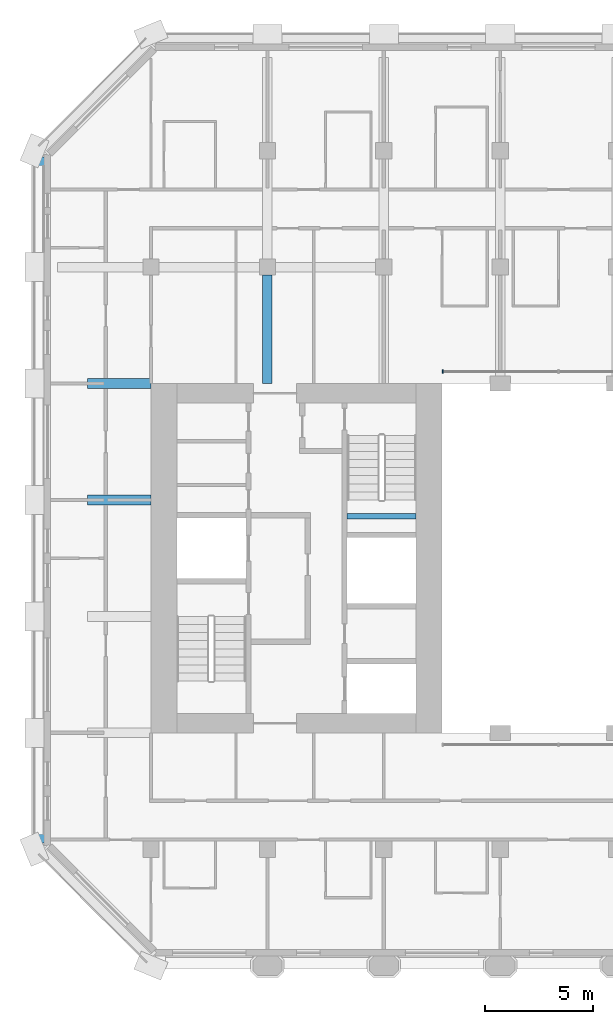
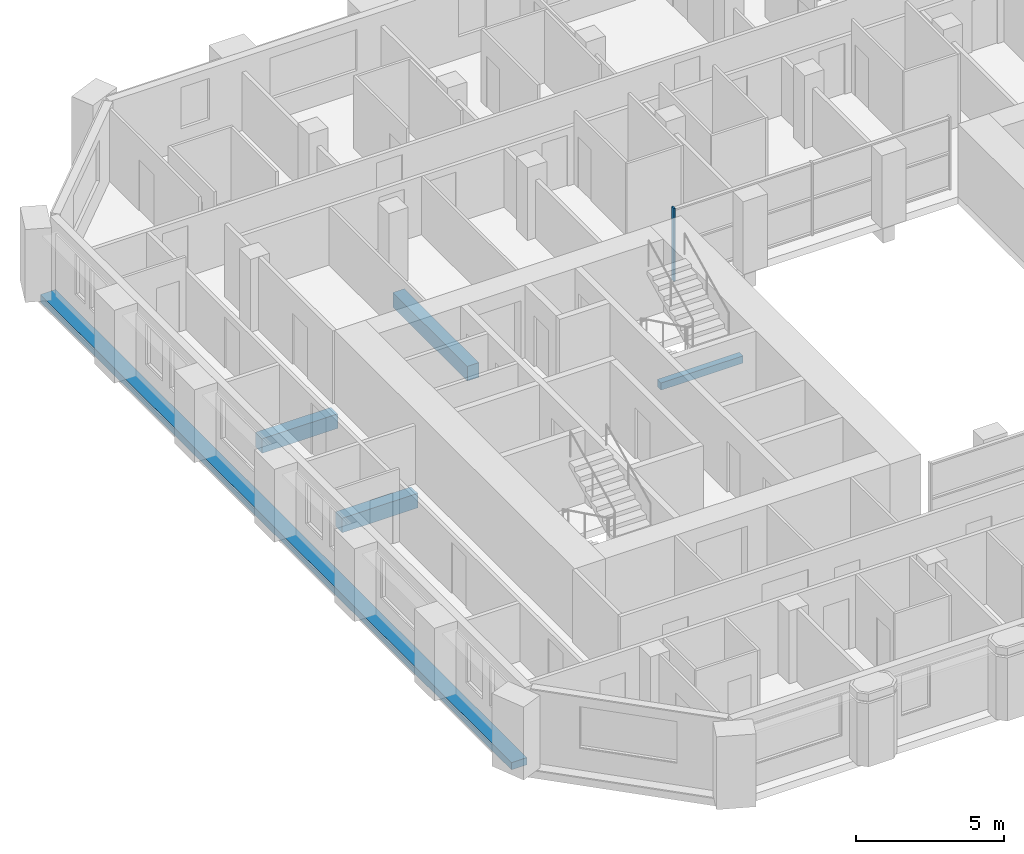
# One storey, part 3 of 13: 5 beams, 1 member, 1 element without a shape of its own.
"""IFC4 building model written with IfcOpenShell, lengths in metres."""

from ifc_helpers import new_model, si_unit, direction, frame, origin, origin_2d, place, context, subcontext, project, spatial, rectangle, extrude, material, material_profile, profile_set, type_object, element, aggregate, save


model = new_model("IFC4")

# Units and contexts
model_context = context("Model", 3, precision=1e-05, world=origin(), true_north=direction((0.0, 1.0)))
body_context = subcontext(model_context, "Body", "Model", "MODEL_VIEW")
ifc_project = project(units=[si_unit("LENGTHUNIT", "METRE"), si_unit("AREAUNIT", "SQUARE_METRE"), si_unit("VOLUMEUNIT", "CUBIC_METRE"), si_unit("PLANEANGLEUNIT", "RADIAN"), si_unit("MASSUNIT", "GRAM", prefix="KILO")], contexts=[model_context])

# Site, building, storey
site_placement = place(None, origin())
site = spatial("IfcSite", under=ifc_project, at=site_placement, CompositionType="ELEMENT")
building_placement = place(site_placement, origin())
building = spatial("IfcBuilding", under=site, at=building_placement, Name="Tabaq Tower and Sports Hall", CompositionType="ELEMENT")
storey_placement = place(building_placement, frame((0.0, 0.0, 220.300048828125)))
storey = spatial("IfcBuildingStorey", under=building, at=storey_placement, Name="L55", CompositionType="ELEMENT", Elevation=220.300048828125)

# Curtain wall, member
ifc_material_1 = material(Name="Aluminium alloy 6063-T6 framed glazing", Category="aluminium")
curtain_wall_type = type_object("IfcCurtainWallType", Name="CW1 curtain wall", PredefinedType="USERDEFINED", material=ifc_material_1)
curtain_wall_placement = place(storey_placement, origin())
curtain_wall = element("IfcCurtainWall", 1, at=curtain_wall_placement, inside=storey, type_object=curtain_wall_type, Name="Atrium glazing L55 N", ObjectType="ATRIUM ENCLOSURE", PredefinedType="USERDEFINED")
ifc_material_2 = material(Name="Aluminium alloy 6063-T6", Category="aluminium")
ifc_material_profile_1 = material_profile(ifc_material_2, rectangle(XDim=0.159912109375, YDim=0.06005859375, at=origin_2d()), Name="MULLION 160x60")
ifc_profile_set_1 = profile_set([ifc_material_profile_1], Name="Aluminium alloy 6063-T6")
member_type = type_object("IfcMemberType", Name="CW1 mullion 160x60", PredefinedType="MULLION", material=ifc_profile_set_1)
member_placement = place(storey_placement, frame((18.929931640625, 32.949951171875, 0.0), z_axis=(0.0, 0.0, 1.0), x_axis=(0.0, 1.0, 0.0)))
member = element("IfcMember", 2, at=member_placement, type_object=member_type, Name="CW1 mullion 1", PredefinedType="MULLION", context=body_context, shape_type="SweptSolid", body=[
    extrude(rectangle(XDim=0.159912109375, YDim=0.06005859375, at=origin_2d()), origin(), (0.0, 0.0, 1.0), 3.0),
])
aggregate(curtain_wall, [member])

# Beams
ifc_material_3 = material(Name="Concrete C40/50", Category="concrete")
ifc_material_profile_2 = material_profile(ifc_material_3, rectangle(XDim=0.449951171875, YDim=0.60009765625, at=origin_2d()), Name="CB 450x600")
ifc_profile_set_2 = profile_set([ifc_material_profile_2], Name="Concrete C40/50")
beam_type_1 = type_object("IfcBeamType", Name="PT CANTILEVER BEAM CB 450x600 C40/50", PredefinedType="BEAM", material=ifc_profile_set_2)
for number, where, z_axis, x_axis, name in (
    (3, (2.449951171875, 27.0, -0.60009765625), (1.0, 0.0, 0.0), (0.0, 1.0, 0.0), "Cantilever Beam L55 W5 span 1"),
    (4, (2.449951171875, 32.39990234375, -0.60009765625), (1.0, 0.0, 0.0), (0.0, 1.0, 0.0), "Cantilever Beam L55 W6 span 1"),
):
    element("IfcBeam", number, at=place(storey_placement, frame(where, z_axis=z_axis, x_axis=x_axis)), inside=storey, type_object=beam_type_1, Name=name, PredefinedType="BEAM", context=body_context, shape_type="SweptSolid", body=[
        extrude(rectangle(XDim=0.449951171875, YDim=0.60009765625, at=origin_2d()), origin(), (0.0, 0.0, 1.0), 2.949951171875),
    ])
beam_1_placement = place(storey_placement, frame((10.800048828125, 37.425048828125, -0.60009765625), z_axis=(0.0, -1.0, 0.0), x_axis=(1.0, 0.0, 0.0)))
element("IfcBeam", 5, at=beam_1_placement, inside=storey, type_object=beam_type_1, Name="Cantilever Beam L55 N2 span 3", PredefinedType="BEAM", context=body_context, shape_type="SweptSolid", body=[
    extrude(rectangle(XDim=0.449951171875, YDim=0.60009765625, at=origin_2d()), origin(), (0.0, 0.0, 1.0), 5.025146484375),
])
ifc_material_4 = material(Name="Concrete C40/50", Category="concrete")
ifc_material_profile_3 = material_profile(ifc_material_4, rectangle(XDim=0.60009765625, YDim=0.300048828125, at=origin_2d()), Name="EB 600x300")
ifc_profile_set_3 = profile_set([ifc_material_profile_3], Name="Concrete C40/50")
beam_type_2 = type_object("IfcBeamType", Name="PT EDGE BEAM EB 600x300 C40/50", PredefinedType="SPANDREL", material=ifc_profile_set_3)
beam_2_placement = place(storey_placement, frame((0.300048828125, 42.9013671875, -0.150146484375), z_axis=(0.0, -1.0, 0.0), x_axis=(1.0, 0.0, 0.0)))
element("IfcBeam", 6, at=beam_2_placement, inside=storey, type_object=beam_type_2, Name="Edge Beam L55 4", PredefinedType="SPANDREL", context=body_context, shape_type="SweptSolid", body=[
    extrude(rectangle(XDim=0.60009765625, YDim=0.300048828125, at=origin_2d()), origin(), (0.0, 0.0, 1.0), 31.802734375),
])
ifc_material_5 = material(Name="Concrete C40/50", Category="concrete")
ifc_material_profile_4 = material_profile(ifc_material_5, rectangle(XDim=0.25, YDim=0.300048828125, at=origin_2d()), Name="RC 250x300")
ifc_profile_set_4 = profile_set([ifc_material_profile_4], Name="Concrete C40/50")
beam_type_3 = type_object("IfcBeamType", Name="Stair landing beam 250x300", PredefinedType="BEAM", material=ifc_profile_set_4)
beam_3_placement = place(storey_placement, frame((14.5, 26.25, 1.300048828125), z_axis=(1.0, 0.0, 0.0), x_axis=(0.0, 1.0, 0.0)))
element("IfcBeam", 7, at=beam_3_placement, inside=storey, type_object=beam_type_3, Name="L55 ST2 landing beam 1", PredefinedType="BEAM", context=body_context, shape_type="SweptSolid", body=[
    extrude(rectangle(XDim=0.25, YDim=0.300048828125, at=origin_2d()), origin(), (0.0, 0.0, 1.0), 3.199951171875),
])

save(model, "model.ifc")
